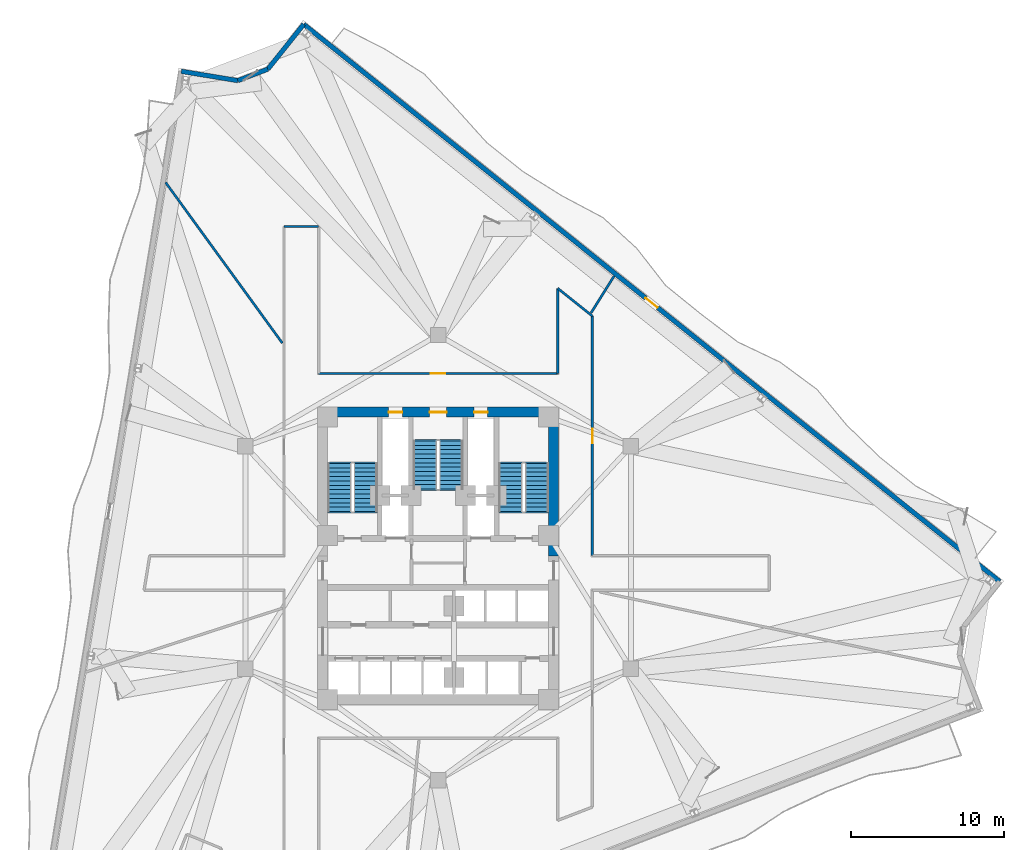
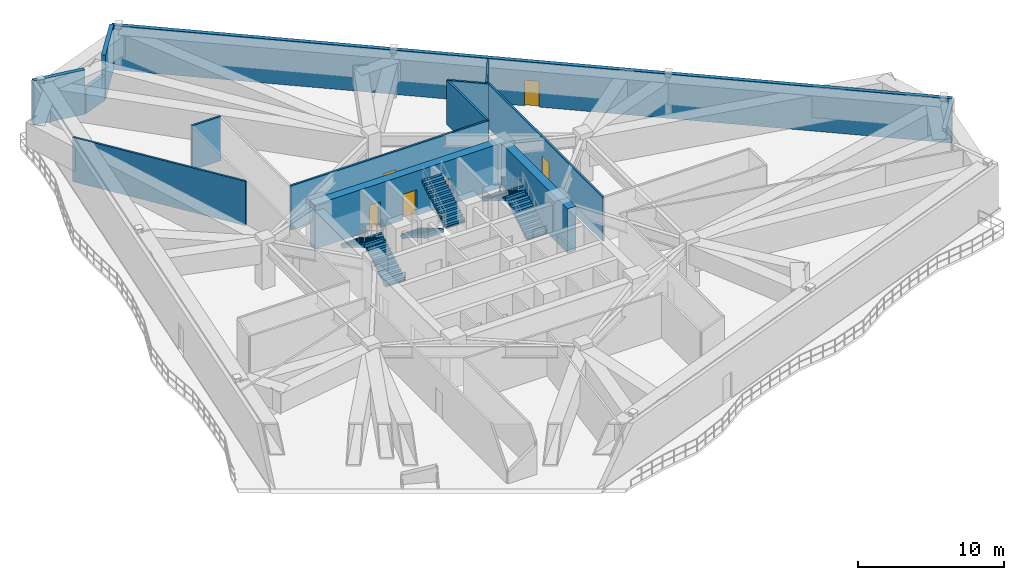
# One storey, part 10 of 14: 13 walls, 6 doors, 6 stair flights, 6 openings, 3 elements without a shape of their own.
"""IFC4 building model written with IfcOpenShell, lengths in metres."""

from ifc_helpers import new_model, si_unit, direction, frame, frame_2d, origin, place, context, subcontext, project, spatial, polyline, rectangle, outline, extrude, material, layer, layer_set, type_object, element, fill, aggregate, save


model = new_model("IFC4")

# Units and contexts
model_context = context("Model", 3, precision=1e-05, world=origin(), true_north=direction((0.0, 1.0)))
body_context = subcontext(model_context, "Body", "Model", "MODEL_VIEW")
ifc_project = project(units=[si_unit("LENGTHUNIT", "METRE"), si_unit("AREAUNIT", "SQUARE_METRE"), si_unit("VOLUMEUNIT", "CUBIC_METRE"), si_unit("PLANEANGLEUNIT", "RADIAN"), si_unit("MASSUNIT", "GRAM", prefix="KILO")], contexts=[model_context])

# Site, building, storey
site_placement = place(None, origin())
site = spatial("IfcSite", under=ifc_project, at=site_placement, CompositionType="ELEMENT")
building_placement = place(site_placement, origin())
building = spatial("IfcBuilding", under=site, at=building_placement, Name="Apsidion Concourse Tower", CompositionType="ELEMENT")
storey_placement = place(building_placement, frame((0.0, 0.0, 156.800048828125)))
storey = spatial("IfcBuildingStorey", under=building, at=storey_placement, Name="L36", CompositionType="ELEMENT", Elevation=156.800048828125)

# Wall, opening, door
ifc_material_1 = material(Name="Precast concrete C40/50", Category="concrete")
ifc_layer_1 = layer(ifc_material_1, 0.300048828125)
ifc_layer_set_1 = layer_set([ifc_layer_1], Name="Precast concrete C40/50")
wall_type_1 = type_object("IfcWallType", Name="WL-EXT-300", PredefinedType="STANDARD", material=ifc_layer_set_1)
wall_1_placement = place(storey_placement, frame((-8.76171875, 34.748291015625, 0.0), z_axis=(0.0, 0.0, 1.0), x_axis=(0.780669916438, -0.624943582708, 0.0)))
wall_1 = element("IfcWall", 1, at=wall_1_placement, inside=storey, type_object=wall_type_1, Name="L36 Precast Stone Facade Wall 01", PredefinedType="STANDARD", context=body_context, shape_type="SweptSolid", body=[
    extrude(rectangle(XDim=58.093017578125, YDim=0.300048828125, at=frame_2d((29.04638671875, 0.0))), origin(), (0.0, 0.0, 1.0), 3.699951171875),
])
opening_1_placement = place(wall_1_placement, frame((28.546630859375, 0.0, 0.0)))
opening_1 = element("IfcOpeningElement", 2, at=opening_1_placement, cuts=wall_1, Name="Opening D-T1L", PredefinedType="OPENING", context=body_context, shape_type="SweptSolid", body=[
    extrude(rectangle(XDim=1.0, YDim=2.14990234375, at=frame_2d((0.5, 1.074951171875))), frame((0.0, 0.16015625, 0.0), z_axis=(0.0, -1.0, 0.0), x_axis=(1.0, 0.0, 0.0)), (0.0, 0.0, 1.0), 0.320068359375),
])
ifc_material_2 = material(Name="Anodised aluminium EN AW-6063 T6", Category="aluminium")
door_type_1 = type_object("IfcDoorType", Name="DR-TER-1022L", OperationType="SINGLE_SWING_LEFT", PredefinedType="DOOR", material=ifc_material_2)
door_1_placement = place(opening_1_placement, origin())
door_1 = element("IfcDoor", 3, at=door_1_placement, inside=storey, type_object=door_type_1, Name="L36 Balcony Access Door 3", OperationType="SINGLE_SWING_LEFT", OverallHeight=2.14990234375, OverallWidth=1.0, PredefinedType="DOOR", context=body_context, shape_type="SweptSolid", body=[
    extrude(rectangle(XDim=1.0, YDim=2.14990234375, at=frame_2d((0.5, 1.074951171875))), frame((0.0, 0.02490234375, 0.0), z_axis=(0.0, -1.0, 0.0), x_axis=(1.0, 0.0, 0.0)), (0.0, 0.0, 1.0), 0.050048828125),
])
fill(opening_1, door_1)

# Walls
wall_2_placement = place(storey_placement, frame((-16.739990234375, 31.685791015625, 0.0), z_axis=(0.0, 0.0, 1.0), x_axis=(0.986793455184, -0.161983569556, 0.0)))
element("IfcWall", 4, at=wall_2_placement, inside=storey, type_object=wall_type_1, Name="L36 Precast Stone Facade Wall 10", PredefinedType="STANDARD", context=body_context, shape_type="SweptSolid", body=[
    extrude(rectangle(XDim=3.73779296875, YDim=0.300048828125, at=frame_2d((1.868896484375, 0.0))), origin(), (0.0, 0.0, 1.0), 3.699951171875),
])
wall_3_placement = place(storey_placement, frame((-13.051513671875, 31.080322265625, 0.0), z_axis=(0.0, 0.0, 1.0), x_axis=(0.933582919313, 0.35836145547, 0.0)))
element("IfcWall", 5, at=wall_3_placement, inside=storey, type_object=wall_type_1, Name="L36 Precast Stone Facade Wall 11", PredefinedType="STANDARD", context=body_context, shape_type="SweptSolid", body=[
    extrude(rectangle(XDim=2.0927734375, YDim=0.300048828125, at=frame_2d((1.04638671875, 0.0))), origin(), (0.0, 0.0, 1.0), 2.079833984375),
])
wall_4_placement = place(storey_placement, frame((-11.09765625, 31.830322265625, 0.0), z_axis=(0.0, 0.0, 1.0), x_axis=(0.624949908599, 0.78066485238, 0.0)))
element("IfcWall", 6, at=wall_4_placement, inside=storey, type_object=wall_type_1, Name="L36 Precast Stone Facade Wall 12", PredefinedType="STANDARD", context=body_context, shape_type="SweptSolid", body=[
    extrude(rectangle(XDim=3.73779296875, YDim=0.300048828125, at=frame_2d((1.868896484375, 0.0))), origin(), (0.0, 0.0, 1.0), 3.699951171875),
])
ifc_material_3 = material(Name="Gypsum plasterboard partition")
ifc_layer_2 = layer(ifc_material_3, 0.14990234375)
ifc_layer_set_2 = layer_set([ifc_layer_2], Name="Gypsum plasterboard partition")
wall_type_2 = type_object("IfcWallType", Name="WL-INT-PAR-150", PredefinedType="PARTITIONING", material=ifc_layer_set_2)
wall_5_placement = place(storey_placement, frame((-10.050048828125, 21.580078125, 0.0), z_axis=(0.0, 0.0, 1.0), x_axis=(1.0, 0.0, 0.0)))
element("IfcWall", 7, at=wall_5_placement, inside=storey, type_object=wall_type_2, Name="L36 Interior Partition WL-L36-CORR-11", PredefinedType="PARTITIONING", context=body_context, shape_type="SweptSolid", body=[
    extrude(rectangle(XDim=2.260009765625, YDim=0.14990234375, at=frame_2d((1.1298828125, 0.0))), origin(), (0.0, 0.0, 1.0), 3.699951171875),
])

# Wall, opening, door
wall_6_placement = place(storey_placement, frame((-7.7900390625, 12.0, 0.0), z_axis=(0.0, 0.0, 1.0), x_axis=(1.0, 0.0, 0.0)))
wall_6 = element("IfcWall", 8, at=wall_6_placement, inside=storey, type_object=wall_type_2, Name="L36 Interior Partition WL-L36-CORR-13", PredefinedType="PARTITIONING", context=body_context, shape_type="SweptSolid", body=[
    extrude(rectangle(XDim=15.580078125, YDim=0.14990234375, at=frame_2d((7.7900390625, 0.0))), origin(), (0.0, 0.0, 1.0), 3.699951171875),
])
opening_2_placement = place(wall_6_placement, frame((7.31494140625, 0.0, 0.0)))
opening_2 = element("IfcOpeningElement", 9, at=opening_2_placement, cuts=wall_6, Name="Opening D-01R", PredefinedType="OPENING", context=body_context, shape_type="SweptSolid", body=[
    extrude(rectangle(XDim=0.949951171875, YDim=2.14990234375, at=frame_2d((0.47509765625, 1.074951171875))), frame((0.0, 0.0849609375, 0.0), z_axis=(0.0, -1.0, 0.0), x_axis=(1.0, 0.0, 0.0)), (0.0, 0.0, 1.0), 0.169921875),
])
ifc_material_4 = material(Name="Brushed stainless steel 316", Category="steel")
door_type_2 = type_object("IfcDoorType", Name="DR-INT-D01R", OperationType="SINGLE_SWING_RIGHT", PredefinedType="DOOR", material=ifc_material_4)
door_2_placement = place(opening_2_placement, origin())
door_2 = element("IfcDoor", 10, at=door_2_placement, inside=storey, type_object=door_type_2, Name="L36 Corridor Entry Door 04", OperationType="SINGLE_SWING_RIGHT", OverallHeight=2.14990234375, OverallWidth=0.949951171875, PredefinedType="DOOR", context=body_context, shape_type="SweptSolid", body=[
    extrude(rectangle(XDim=0.949951171875, YDim=2.14990234375, at=frame_2d((0.47509765625, 1.074951171875))), frame((0.0, 0.02490234375, 0.0), z_axis=(0.0, -1.0, 0.0), x_axis=(1.0, 0.0, 0.0)), (0.0, 0.0, 1.0), 0.050048828125),
])
fill(opening_2, door_2)

# Walls
wall_7_placement = place(storey_placement, frame((7.7900390625, 12.0, 0.0), z_axis=(0.0, 0.0, 1.0), x_axis=(0.0, 1.0, 0.0)))
element("IfcWall", 11, at=wall_7_placement, inside=storey, type_object=wall_type_2, Name="L36 Interior Partition WL-L36-CORR-14", PredefinedType="PARTITIONING", context=body_context, shape_type="SweptSolid", body=[
    extrude(rectangle(XDim=5.546630859375, YDim=0.14990234375, at=frame_2d((2.7734375, 0.0))), origin(), (0.0, 0.0, 1.0), 3.699951171875),
])
wall_8_placement = place(storey_placement, frame((7.7900390625, 17.546630859375, 0.0), z_axis=(0.0, 0.0, 1.0), x_axis=(0.780646621428, -0.624972681366, 0.0)))
element("IfcWall", 12, at=wall_8_placement, inside=storey, type_object=wall_type_2, Name="L36 Interior Partition WL-L36-CORR-15", PredefinedType="PARTITIONING", context=body_context, shape_type="SweptSolid", body=[
    extrude(rectangle(XDim=2.89501953125, YDim=0.14990234375, at=frame_2d((1.447509765625, 0.0))), origin(), (0.0, 0.0, 1.0), 3.699951171875),
])

# Wall, opening, door
wall_9_placement = place(storey_placement, frame((10.050048828125, 15.7373046875, 0.0), z_axis=(0.0, 0.0, 1.0), x_axis=(0.0, -1.0, 0.0)))
wall_9 = element("IfcWall", 13, at=wall_9_placement, inside=storey, type_object=wall_type_2, Name="L36 Interior Partition WL-L36-CORR-16", PredefinedType="PARTITIONING", context=body_context, shape_type="SweptSolid", body=[
    extrude(rectangle(XDim=15.607421875, YDim=0.14990234375, at=frame_2d((7.8037109375, 0.0))), origin(), (0.0, 0.0, 1.0), 3.699951171875),
])
opening_3_placement = place(wall_9_placement, frame((7.32861328125, 0.0, 0.0)))
opening_3 = element("IfcOpeningElement", 14, at=opening_3_placement, cuts=wall_9, Name="Opening D-01L", PredefinedType="OPENING", context=body_context, shape_type="SweptSolid", body=[
    extrude(rectangle(XDim=0.949951171875, YDim=2.14990234375, at=frame_2d((0.47509765625, 1.074951171875))), frame((0.0, 0.0849609375, 0.0), z_axis=(0.0, -1.0, 0.0), x_axis=(1.0, 0.0, 0.0)), (0.0, 0.0, 1.0), 0.169921875),
])
door_type_3 = type_object("IfcDoorType", Name="DR-INT-D01L", OperationType="SINGLE_SWING_LEFT", PredefinedType="DOOR", material=ifc_material_4)
door_3_placement = place(opening_3_placement, origin())
door_3 = element("IfcDoor", 15, at=door_3_placement, inside=storey, type_object=door_type_3, Name="L36 Corridor Entry Door 03", OperationType="SINGLE_SWING_LEFT", OverallHeight=2.14990234375, OverallWidth=0.949951171875, PredefinedType="DOOR", context=body_context, shape_type="SweptSolid", body=[
    extrude(rectangle(XDim=0.949951171875, YDim=2.14990234375, at=frame_2d((0.47509765625, 1.074951171875))), frame((0.0, 0.02490234375, 0.0), z_axis=(0.0, -1.0, 0.0), x_axis=(1.0, 0.0, 0.0)), (0.0, 0.0, 1.0), 0.050048828125),
])
fill(opening_3, door_3)

# Walls
wall_10_placement = place(storey_placement, frame((9.9619140625, 15.9423828125, 0.0), z_axis=(0.0, 0.0, 1.0), x_axis=(0.529929252451, 0.848041854743, 0.0)))
element("IfcWall", 16, at=wall_10_placement, inside=storey, type_object=wall_type_2, Name="L36 Interior Partition WL-L36-RAD-01-2", PredefinedType="PARTITIONING", context=body_context, shape_type="SweptSolid", body=[
    extrude(rectangle(XDim=2.834228515625, YDim=0.14990234375, at=frame_2d((1.4169921875, 0.0))), origin(), (0.0, 0.0, 1.0), 3.699951171875),
])
wall_11_placement = place(storey_placement, frame((-10.155029296875, 13.977294921875, 0.0), z_axis=(0.0, 0.0, 1.0), x_axis=(-0.587795827483, 0.809009310944, 0.0)))
element("IfcWall", 17, at=wall_11_placement, inside=storey, type_object=wall_type_2, Name="L36 Interior Partition WL-L36-RAD-02-1", PredefinedType="PARTITIONING", context=body_context, shape_type="SweptSolid", body=[
    extrude(rectangle(XDim=12.940185546875, YDim=0.14990234375, at=frame_2d((6.47021484375, 0.0))), origin(), (0.0, 0.0, 1.0), 3.699951171875),
])

# Wall, openings, doors
ifc_material_5 = material(Name="Concrete C50/60", Category="concrete")
ifc_layer_3 = layer(ifc_material_5, 0.64990234375)
ifc_layer_set_3 = layer_set([ifc_layer_3], Name="Concrete C50/60")
wall_type_3 = type_object("IfcWallType", Name="WL-SH-650", PredefinedType="SHEAR", material=ifc_layer_set_3)
wall_12_placement = place(storey_placement, frame((-7.52490234375, 9.47509765625, 0.0), z_axis=(0.0, 0.0, 1.0), x_axis=(1.0, 0.0, 0.0)))
wall_12 = element("IfcWall", 18, at=wall_12_placement, inside=storey, type_object=wall_type_3, Name="L36 Central Core Shear Wall N", PredefinedType="SHEAR", context=body_context, shape_type="SweptSolid", body=[
    extrude(rectangle(XDim=15.0498046875, YDim=0.64990234375, at=frame_2d((7.52490234375, 0.0))), origin(), (0.0, 0.0, 1.0), 3.699951171875),
])
opening_4_placement = place(wall_12_placement, frame((6.97509765625, 0.0, 0.0)))
opening_4 = element("IfcOpeningElement", 19, at=opening_4_placement, cuts=wall_12, Name="Opening D-STL", PredefinedType="OPENING", context=body_context, shape_type="SweptSolid", body=[
    extrude(rectangle(XDim=1.10009765625, YDim=2.14990234375, at=frame_2d((0.550048828125, 1.074951171875))), frame((0.0, 0.3349609375, 0.0), z_axis=(0.0, -1.0, 0.0), x_axis=(1.0, 0.0, 0.0)), (0.0, 0.0, 1.0), 0.669921875),
])
opening_5_placement = place(wall_12_placement, frame((4.304931640625, 0.0, 0.0)))
opening_5 = element("IfcOpeningElement", 20, at=opening_5_placement, cuts=wall_12, Name="Opening D-05L", PredefinedType="OPENING", context=body_context, shape_type="SweptSolid", body=[
    extrude(rectangle(XDim=0.8798828125, YDim=2.14990234375, at=frame_2d((0.43994140625, 1.074951171875))), frame((0.0, 0.3349609375, 0.0), z_axis=(0.0, -1.0, 0.0), x_axis=(1.0, 0.0, 0.0)), (0.0, 0.0, 1.0), 0.669921875),
])
opening_6_placement = place(wall_12_placement, frame((9.864990234375, 0.0, 0.0)))
opening_6 = element("IfcOpeningElement", 21, at=opening_6_placement, cuts=wall_12, Name="Opening D-05R", PredefinedType="OPENING", context=body_context, shape_type="SweptSolid", body=[
    extrude(rectangle(XDim=0.8798828125, YDim=2.14990234375, at=frame_2d((0.43994140625, 1.074951171875))), frame((0.0, 0.3349609375, 0.0), z_axis=(0.0, -1.0, 0.0), x_axis=(1.0, 0.0, 0.0)), (0.0, 0.0, 1.0), 0.669921875),
])
door_type_4 = type_object("IfcDoorType", Name="DR-INT-D05L", OperationType="SINGLE_SWING_LEFT", PredefinedType="DOOR", material=ifc_material_4)
door_4_placement = place(opening_5_placement, origin())
door_4 = element("IfcDoor", 22, at=door_4_placement, inside=storey, type_object=door_type_4, Name="L36 Electrical Riser Shaft Access Door", OperationType="SINGLE_SWING_LEFT", OverallHeight=2.14990234375, OverallWidth=0.8798828125, PredefinedType="DOOR", context=body_context, shape_type="SweptSolid", body=[
    extrude(rectangle(XDim=0.8798828125, YDim=2.14990234375, at=frame_2d((0.43994140625, 1.074951171875))), frame((0.0, 0.02490234375, 0.0), z_axis=(0.0, -1.0, 0.0), x_axis=(1.0, 0.0, 0.0)), (0.0, 0.0, 1.0), 0.050048828125),
])
fill(opening_5, door_4)
door_type_5 = type_object("IfcDoorType", Name="DR-INT-D05R", OperationType="SINGLE_SWING_RIGHT", PredefinedType="DOOR", material=ifc_material_4)
door_5_placement = place(opening_6_placement, origin())
door_5 = element("IfcDoor", 23, at=door_5_placement, inside=storey, type_object=door_type_5, Name="L36 Mechanical Riser Shaft Access Door", OperationType="SINGLE_SWING_RIGHT", OverallHeight=2.14990234375, OverallWidth=0.8798828125, PredefinedType="DOOR", context=body_context, shape_type="SweptSolid", body=[
    extrude(rectangle(XDim=0.8798828125, YDim=2.14990234375, at=frame_2d((0.43994140625, 1.074951171875))), frame((0.0, 0.02490234375, 0.0), z_axis=(0.0, -1.0, 0.0), x_axis=(1.0, 0.0, 0.0)), (0.0, 0.0, 1.0), 0.050048828125),
])
fill(opening_6, door_5)
door_type_6 = type_object("IfcDoorType", Name="DR-INT-ST1L", OperationType="SINGLE_SWING_LEFT", PredefinedType="DOOR", material=ifc_material_4)
door_6_placement = place(opening_4_placement, origin())
door_6 = element("IfcDoor", 24, at=door_6_placement, inside=storey, type_object=door_type_6, Name="L36 Core Exit Stair ST3 Door", OperationType="SINGLE_SWING_LEFT", OverallHeight=2.14990234375, OverallWidth=1.10009765625, PredefinedType="DOOR", context=body_context, shape_type="SweptSolid", body=[
    extrude(rectangle(XDim=1.10009765625, YDim=2.14990234375, at=frame_2d((0.550048828125, 1.074951171875))), frame((0.0, 0.02490234375, 0.0), z_axis=(0.0, -1.0, 0.0), x_axis=(1.0, 0.0, 0.0)), (0.0, 0.0, 1.0), 0.050048828125),
])
fill(opening_4, door_6)

# Wall
wall_13_placement = place(storey_placement, frame((7.52490234375, 0.10009765625, 0.0), z_axis=(0.0, 0.0, 1.0), x_axis=(0.0, 1.0, 0.0)))
element("IfcWall", 25, at=wall_13_placement, inside=storey, type_object=wall_type_3, Name="L36 Central Core Shear Wall EN", PredefinedType="SHEAR", context=body_context, shape_type="SweptSolid", body=[
    extrude(rectangle(XDim=9.0498046875, YDim=0.64990234375, at=frame_2d((4.52490234375, 0.0))), origin(), (0.0, 0.0, 1.0), 3.699951171875),
])

# Stair, stair flights
stair_type = type_object("IfcStairType", Name="ST-DL-1550", PredefinedType="HALF_TURN_STAIR", material=ifc_material_1)
stair_1_placement = place(storey_placement, origin())
stair_1 = element("IfcStair", 26, at=stair_1_placement, inside=storey, type_object=stair_type, Name="L36 Protected Core Exit Stair ST1", PredefinedType="HALF_TURN_STAIR")
stair_flight_type = type_object("IfcStairFlightType", Name="SFL-RC-1550", PredefinedType="STRAIGHT", material=ifc_material_1)
stair_flight_1_placement = place(storey_placement, frame((-4.72509765625, 3.0, 0.0), z_axis=(0.0, 0.0, 1.0), x_axis=(0.0, 1.0, 0.0)))
stair_flight_1 = element("IfcStairFlight", 27, at=stair_flight_1_placement, type_object=stair_flight_type, Name="ST1 flight 1", NumberOfRisers=12, NumberOfTreads=11, PredefinedType="STRAIGHT", RiserHeight=0.170833333, TreadLength=0.285, context=body_context, shape_type="SweptSolid", body=[
    extrude(outline(polyline([(-0.080078125, -0.1123046875), (-0.080078125, 0.0), (0.0, 0.0), (0.0, 0.1708984375), (0.284912109375, 0.1708984375), (0.284912109375, 0.341552734375), (0.570068359375, 0.341552734375), (0.570068359375, 0.512451171875), (0.85498046875, 0.512451171875), (0.85498046875, 0.683349609375), (1.139892578125, 0.683349609375), (1.139892578125, 0.854248046875), (1.425048828125, 0.854248046875), (1.425048828125, 1.02490234375), (1.7099609375, 1.02490234375), (1.7099609375, 1.19580078125), (1.9951171875, 1.19580078125), (1.9951171875, 1.36669921875), (2.280029296875, 1.36669921875), (2.280029296875, 1.53759765625), (2.56494140625, 1.53759765625), (2.56494140625, 1.708251953125), (2.85009765625, 1.708251953125), (2.85009765625, 1.879150390625), (3.135009765625, 1.879150390625), (3.135009765625, 2.050048828125), (3.215087890625, 1.964599609375), (3.215087890625, 1.704345703125), (3.135009765625, 1.704345703125), (0.29150390625, 0.0), (0.29150390625, -0.1123046875), (-0.080078125, -0.1123046875)])), frame((0.0, 0.77490234375, 0.0), z_axis=(0.0, -1.0, 0.0), x_axis=(1.0, 0.0, 0.0)), (0.0, 0.0, 1.0), 1.550048828125),
])
stair_flight_2_placement = place(storey_placement, frame((-6.425048828125, 6.135009765625, 2.050048828125), z_axis=(0.0, 0.0, 1.0), x_axis=(0.0, -1.0, 0.0)))
stair_flight_2 = element("IfcStairFlight", 28, at=stair_flight_2_placement, type_object=stair_flight_type, Name="ST1 flight 2", NumberOfRisers=12, NumberOfTreads=11, PredefinedType="STRAIGHT", RiserHeight=0.170833333, TreadLength=0.285, context=body_context, shape_type="SweptSolid", body=[
    extrude(outline(polyline([(-0.080078125, -0.1123046875), (-0.080078125, 0.0), (0.0, 0.0), (0.0, 0.1708984375), (0.284912109375, 0.1708984375), (0.284912109375, 0.341552734375), (0.570068359375, 0.341552734375), (0.570068359375, 0.512451171875), (0.85498046875, 0.512451171875), (0.85498046875, 0.683349609375), (1.139892578125, 0.683349609375), (1.139892578125, 0.854248046875), (1.425048828125, 0.854248046875), (1.425048828125, 1.02490234375), (1.7099609375, 1.02490234375), (1.7099609375, 1.19580078125), (1.9951171875, 1.19580078125), (1.9951171875, 1.36669921875), (2.280029296875, 1.36669921875), (2.280029296875, 1.53759765625), (2.56494140625, 1.53759765625), (2.56494140625, 1.708251953125), (2.85009765625, 1.708251953125), (2.85009765625, 1.879150390625), (3.135009765625, 1.879150390625), (3.135009765625, 2.050048828125), (3.215087890625, 1.964599609375), (3.215087890625, 1.704345703125), (3.135009765625, 1.704345703125), (0.29150390625, 0.0), (0.29150390625, -0.1123046875), (-0.080078125, -0.1123046875)])), frame((0.0, 0.77490234375, 0.0), z_axis=(0.0, -1.0, 0.0), x_axis=(1.0, 0.0, 0.0)), (0.0, 0.0, 1.0), 1.550048828125),
])
aggregate(stair_1, [stair_flight_1, stair_flight_2])

stair_2_placement = place(storey_placement, origin())
stair_2 = element("IfcStair", 29, at=stair_2_placement, inside=storey, type_object=stair_type, Name="L36 Protected Core Exit Stair ST2", PredefinedType="HALF_TURN_STAIR")
stair_flight_3_placement = place(storey_placement, frame((6.425048828125, 3.0, 0.0), z_axis=(0.0, 0.0, 1.0), x_axis=(0.0, 1.0, 0.0)))
stair_flight_3 = element("IfcStairFlight", 30, at=stair_flight_3_placement, type_object=stair_flight_type, Name="ST2 flight 1", NumberOfRisers=12, NumberOfTreads=11, PredefinedType="STRAIGHT", RiserHeight=0.170833333, TreadLength=0.285, context=body_context, shape_type="SweptSolid", body=[
    extrude(outline(polyline([(-0.080078125, -0.1123046875), (-0.080078125, 0.0), (0.0, 0.0), (0.0, 0.1708984375), (0.284912109375, 0.1708984375), (0.284912109375, 0.341552734375), (0.570068359375, 0.341552734375), (0.570068359375, 0.512451171875), (0.85498046875, 0.512451171875), (0.85498046875, 0.683349609375), (1.139892578125, 0.683349609375), (1.139892578125, 0.854248046875), (1.425048828125, 0.854248046875), (1.425048828125, 1.02490234375), (1.7099609375, 1.02490234375), (1.7099609375, 1.19580078125), (1.9951171875, 1.19580078125), (1.9951171875, 1.36669921875), (2.280029296875, 1.36669921875), (2.280029296875, 1.53759765625), (2.56494140625, 1.53759765625), (2.56494140625, 1.708251953125), (2.85009765625, 1.708251953125), (2.85009765625, 1.879150390625), (3.135009765625, 1.879150390625), (3.135009765625, 2.050048828125), (3.215087890625, 1.964599609375), (3.215087890625, 1.704345703125), (3.135009765625, 1.704345703125), (0.29150390625, 0.0), (0.29150390625, -0.1123046875), (-0.080078125, -0.1123046875)])), frame((0.0, 0.77490234375, 0.0), z_axis=(0.0, -1.0, 0.0), x_axis=(1.0, 0.0, 0.0)), (0.0, 0.0, 1.0), 1.550048828125),
])
stair_flight_4_placement = place(storey_placement, frame((4.72509765625, 6.135009765625, 2.050048828125), z_axis=(0.0, 0.0, 1.0), x_axis=(0.0, -1.0, 0.0)))
stair_flight_4 = element("IfcStairFlight", 31, at=stair_flight_4_placement, type_object=stair_flight_type, Name="ST2 flight 2", NumberOfRisers=12, NumberOfTreads=11, PredefinedType="STRAIGHT", RiserHeight=0.170833333, TreadLength=0.285, context=body_context, shape_type="SweptSolid", body=[
    extrude(outline(polyline([(-0.080078125, -0.1123046875), (-0.080078125, 0.0), (0.0, 0.0), (0.0, 0.1708984375), (0.284912109375, 0.1708984375), (0.284912109375, 0.341552734375), (0.570068359375, 0.341552734375), (0.570068359375, 0.512451171875), (0.85498046875, 0.512451171875), (0.85498046875, 0.683349609375), (1.139892578125, 0.683349609375), (1.139892578125, 0.854248046875), (1.425048828125, 0.854248046875), (1.425048828125, 1.02490234375), (1.7099609375, 1.02490234375), (1.7099609375, 1.19580078125), (1.9951171875, 1.19580078125), (1.9951171875, 1.36669921875), (2.280029296875, 1.36669921875), (2.280029296875, 1.53759765625), (2.56494140625, 1.53759765625), (2.56494140625, 1.708251953125), (2.85009765625, 1.708251953125), (2.85009765625, 1.879150390625), (3.135009765625, 1.879150390625), (3.135009765625, 2.050048828125), (3.215087890625, 1.964599609375), (3.215087890625, 1.704345703125), (3.135009765625, 1.704345703125), (0.29150390625, 0.0), (0.29150390625, -0.1123046875), (-0.080078125, -0.1123046875)])), frame((0.0, 0.77490234375, 0.0), z_axis=(0.0, -1.0, 0.0), x_axis=(1.0, 0.0, 0.0)), (0.0, 0.0, 1.0), 1.550048828125),
])
aggregate(stair_2, [stair_flight_3, stair_flight_4])

stair_3_placement = place(storey_placement, origin())
stair_3 = element("IfcStair", 32, at=stair_3_placement, inside=storey, type_object=stair_type, Name="L36 Protected Core Exit Stair ST3", PredefinedType="HALF_TURN_STAIR")
stair_flight_5_placement = place(storey_placement, frame((-0.85009765625, 7.60009765625, 0.0), z_axis=(0.0, 0.0, 1.0), x_axis=(0.0, -1.0, 0.0)))
stair_flight_5 = element("IfcStairFlight", 33, at=stair_flight_5_placement, type_object=stair_flight_type, Name="ST3 flight 1", NumberOfRisers=12, NumberOfTreads=11, PredefinedType="STRAIGHT", RiserHeight=0.170833333, TreadLength=0.285, context=body_context, shape_type="SweptSolid", body=[
    extrude(outline(polyline([(-0.080078125, -0.1123046875), (-0.080078125, 0.0), (0.0, 0.0), (0.0, 0.1708984375), (0.284912109375, 0.1708984375), (0.284912109375, 0.341552734375), (0.570068359375, 0.341552734375), (0.570068359375, 0.512451171875), (0.85498046875, 0.512451171875), (0.85498046875, 0.683349609375), (1.139892578125, 0.683349609375), (1.139892578125, 0.854248046875), (1.425048828125, 0.854248046875), (1.425048828125, 1.02490234375), (1.7099609375, 1.02490234375), (1.7099609375, 1.19580078125), (1.9951171875, 1.19580078125), (1.9951171875, 1.36669921875), (2.280029296875, 1.36669921875), (2.280029296875, 1.53759765625), (2.56494140625, 1.53759765625), (2.56494140625, 1.708251953125), (2.85009765625, 1.708251953125), (2.85009765625, 1.879150390625), (3.135009765625, 1.879150390625), (3.135009765625, 2.050048828125), (3.215087890625, 1.964599609375), (3.215087890625, 1.704345703125), (3.135009765625, 1.704345703125), (0.29150390625, 0.0), (0.29150390625, -0.1123046875), (-0.080078125, -0.1123046875)])), frame((0.0, 0.77490234375, 0.0), z_axis=(0.0, -1.0, 0.0), x_axis=(1.0, 0.0, 0.0)), (0.0, 0.0, 1.0), 1.550048828125),
])
stair_flight_6_placement = place(storey_placement, frame((0.85009765625, 4.465087890625, 2.050048828125), z_axis=(0.0, 0.0, 1.0), x_axis=(0.0, 1.0, 0.0)))
stair_flight_6 = element("IfcStairFlight", 34, at=stair_flight_6_placement, type_object=stair_flight_type, Name="ST3 flight 2", NumberOfRisers=12, NumberOfTreads=11, PredefinedType="STRAIGHT", RiserHeight=0.170833333, TreadLength=0.285, context=body_context, shape_type="SweptSolid", body=[
    extrude(outline(polyline([(-0.080078125, -0.1123046875), (-0.080078125, 0.0), (0.0, 0.0), (0.0, 0.1708984375), (0.284912109375, 0.1708984375), (0.284912109375, 0.341552734375), (0.570068359375, 0.341552734375), (0.570068359375, 0.512451171875), (0.85498046875, 0.512451171875), (0.85498046875, 0.683349609375), (1.139892578125, 0.683349609375), (1.139892578125, 0.854248046875), (1.425048828125, 0.854248046875), (1.425048828125, 1.02490234375), (1.7099609375, 1.02490234375), (1.7099609375, 1.19580078125), (1.9951171875, 1.19580078125), (1.9951171875, 1.36669921875), (2.280029296875, 1.36669921875), (2.280029296875, 1.53759765625), (2.56494140625, 1.53759765625), (2.56494140625, 1.708251953125), (2.85009765625, 1.708251953125), (2.85009765625, 1.879150390625), (3.135009765625, 1.879150390625), (3.135009765625, 2.050048828125), (3.215087890625, 1.964599609375), (3.215087890625, 1.704345703125), (3.135009765625, 1.704345703125), (0.29150390625, 0.0), (0.29150390625, -0.1123046875), (-0.080078125, -0.1123046875)])), frame((0.0, 0.77490234375, 0.0), z_axis=(0.0, -1.0, 0.0), x_axis=(1.0, 0.0, 0.0)), (0.0, 0.0, 1.0), 1.550048828125),
])
aggregate(stair_3, [stair_flight_5, stair_flight_6])

save(model, "model.ifc")
